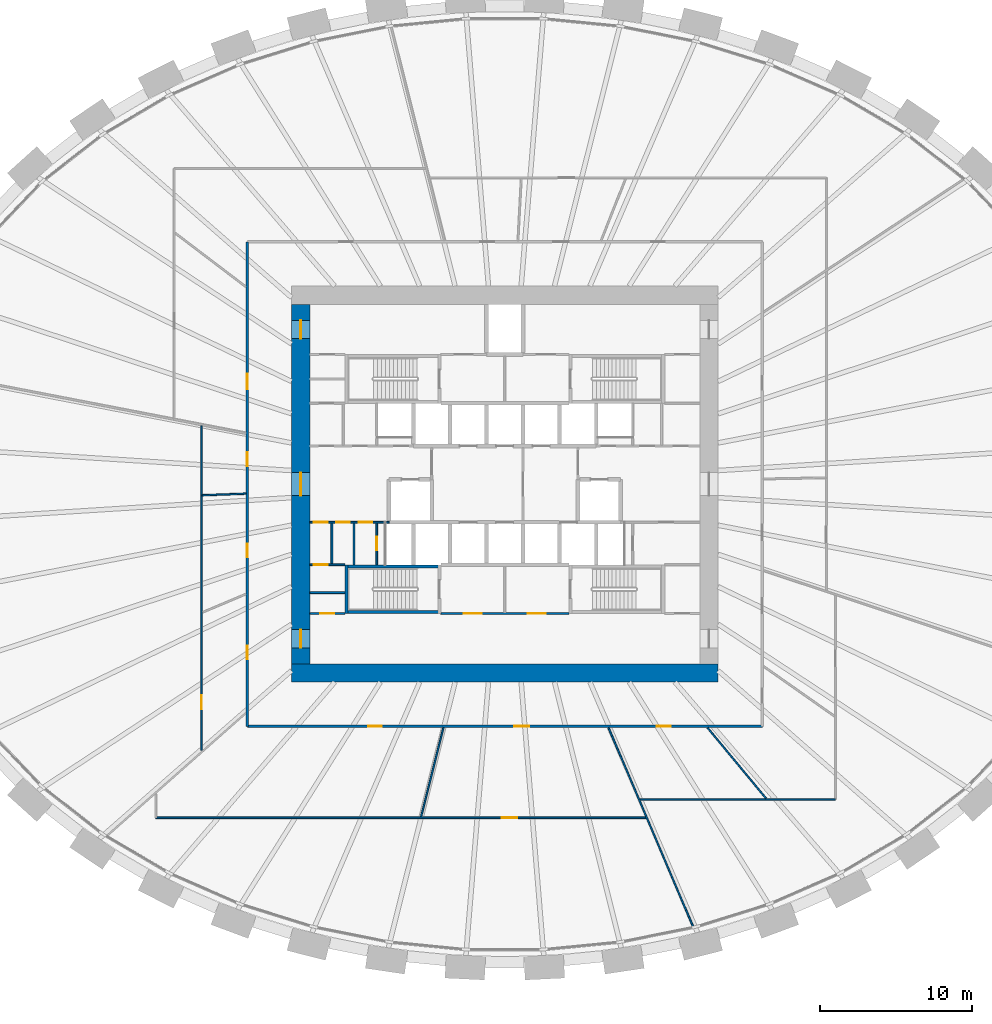
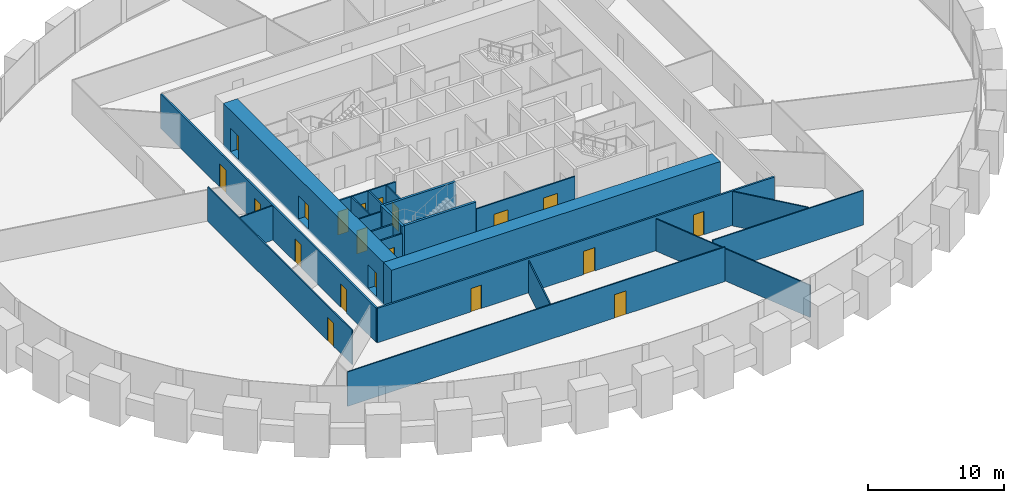
# One storey, part 6 of 10: 22 walls, 20 doors, 20 openings.
"""IFC4 building model written with IfcOpenShell, lengths in metres."""

from ifc_helpers import new_model, si_unit, direction, frame, frame_2d, origin, place, context, subcontext, project, spatial, rectangle, extrude, source, transform, mapped, material, layer, layer_set, type_object, element, fill, save


model = new_model("IFC4")

# Units and contexts
model_context = context("Model", 3, precision=1e-05, world=origin(), true_north=direction((0.0, 1.0)))
body_context = subcontext(model_context, "Body", "Model", "MODEL_VIEW")
ifc_project = project(units=[si_unit("LENGTHUNIT", "METRE"), si_unit("AREAUNIT", "SQUARE_METRE"), si_unit("VOLUMEUNIT", "CUBIC_METRE"), si_unit("PLANEANGLEUNIT", "RADIAN"), si_unit("MASSUNIT", "GRAM", prefix="KILO")], contexts=[model_context])

# Site, building, storey
site_placement = place(None, origin())
site = spatial("IfcSite", under=ifc_project, at=site_placement, CompositionType="ELEMENT")
building_placement = place(site_placement, origin())
building = spatial("IfcBuilding", under=site, at=building_placement, Name="Embergate Tower", CompositionType="ELEMENT")
storey_placement = place(building_placement, frame((0.0, 0.0, 93.199951171875)))
storey = spatial("IfcBuildingStorey", under=building, at=storey_placement, Name="L19", CompositionType="ELEMENT", Elevation=93.199951171875)

# Wall
ifc_material_1 = material(Name="Concrete C80", Category="concrete")
ifc_layer_1 = layer(ifc_material_1, 1.199951171875)
ifc_layer_set_1 = layer_set([ifc_layer_1], Name="Concrete C80")
wall_type_1 = type_object("IfcWallType", Name="Core outer wall C80 1200", PredefinedType="SHEAR", material=ifc_layer_set_1)
shared_shape_1 = source(origin(), body_context, "Body", "SweptSolid", [
    extrude(rectangle(XDim=28.0, YDim=1.199951171875, at=frame_2d((14.0, 0.0))), origin(), (0.0, 0.0, 1.0), 3.89990234375),
])
wall_1_placement = place(storey_placement, frame((-14.0, -12.39990234375, -0.199951171875), z_axis=(0.0, 0.0, 1.0), x_axis=(1.0, 0.0, 0.0)))
element("IfcWall", 1, at=wall_1_placement, inside=storey, type_object=wall_type_1, Name="CW-L19-S", PredefinedType="SHEAR", context=body_context, shape_type="MappedRepresentation", body=[
    mapped(shared_shape_1, transform((0.0, 0.0, 0.0))),
])

# Wall, openings, doors
shared_shape_2 = source(origin(), body_context, "Body", "SweptSolid", [
    extrude(rectangle(XDim=23.60009765625, YDim=1.199951171875, at=frame_2d((11.800048828125, 0.0))), origin(), (0.0, 0.0, 1.0), 3.89990234375),
])
wall_2_placement = place(storey_placement, frame((-13.39990234375, -11.800048828125, -0.199951171875), z_axis=(0.0, 0.0, 1.0), x_axis=(0.0, 1.0, 0.0)))
wall_2 = element("IfcWall", 2, at=wall_2_placement, inside=storey, type_object=wall_type_1, Name="CW-L19-W", PredefinedType="SHEAR", context=body_context, shape_type="MappedRepresentation", body=[
    mapped(shared_shape_2, transform((0.0, 0.0, 0.0))),
])
shared_shape_3 = source(origin(), body_context, "Body", "SweptSolid", [
    extrude(rectangle(XDim=1.199951171875, YDim=2.10009765625, at=frame_2d((0.60009765625, 1.050048828125))), frame((0.0, 0.60986328125, 0.0), z_axis=(0.0, -1.0, 0.0), x_axis=(1.0, 0.0, 0.0)), (0.0, 0.0, 1.0), 1.219970703125),
])
opening_1_placement = place(wall_2_placement, frame((21.35009765625, 0.0, 0.199951171875)))
opening_1 = element("IfcOpeningElement", 3, at=opening_1_placement, cuts=wall_2, Name="Opening IF-1", PredefinedType="OPENING", context=body_context, shape_type="MappedRepresentation", body=[
    mapped(shared_shape_3, transform((0.0, 0.0, 0.0))),
])
opening_2_placement = place(wall_2_placement, frame((1.050048828125, 0.0, 0.199951171875)))
opening_2 = element("IfcOpeningElement", 4, at=opening_2_placement, cuts=wall_2, Name="Opening IF-1", PredefinedType="OPENING", context=body_context, shape_type="MappedRepresentation", body=[
    mapped(shared_shape_3, transform((0.0, 0.0, 0.0))),
])
shared_shape_4 = source(origin(), body_context, "Body", "SweptSolid", [
    extrude(rectangle(XDim=1.5, YDim=2.10009765625, at=frame_2d((0.75, 1.050048828125))), frame((0.0, 0.60986328125, 0.0), z_axis=(0.0, -1.0, 0.0), x_axis=(1.0, 0.0, 0.0)), (0.0, 0.0, 1.0), 1.219970703125),
])
opening_3_placement = place(wall_2_placement, frame((11.050048828125, 0.0, 0.199951171875)))
opening_3 = element("IfcOpeningElement", 5, at=opening_3_placement, cuts=wall_2, Name="Opening IF-3", PredefinedType="OPENING", context=body_context, shape_type="MappedRepresentation", body=[
    mapped(shared_shape_4, transform((0.0, 0.0, 0.0))),
])
ifc_material_2 = material(Name="Escape fire door 1200")
door_type_1 = type_object("IfcDoorType", Name="Escape fire door 1200", OperationType="SINGLE_SWING_LEFT", PredefinedType="DOOR", material=ifc_material_2)
shared_shape_5 = source(origin(), body_context, "Body", "SweptSolid", [
    extrude(rectangle(XDim=1.199951171875, YDim=2.10009765625, at=frame_2d((0.60009765625, 1.050048828125))), frame((0.0, 0.02490234375, 0.0), z_axis=(0.0, -1.0, 0.0), x_axis=(1.0, 0.0, 0.0)), (0.0, 0.0, 1.0), 0.050048828125),
])
door_1_placement = place(opening_1_placement, origin())
door_1 = element("IfcDoor", 6, at=door_1_placement, inside=storey, type_object=door_type_1, Name="IF-1 door", OperationType="SINGLE_SWING_RIGHT", OverallHeight=2.10009765625, OverallWidth=1.199951171875, PredefinedType="DOOR", context=body_context, shape_type="MappedRepresentation", body=[
    mapped(shared_shape_5, transform((0.0, 0.0, 0.0))),
])
fill(opening_1, door_1)
door_2_placement = place(opening_2_placement, origin())
door_2 = element("IfcDoor", 7, at=door_2_placement, inside=storey, type_object=door_type_1, Name="IF-1 door", OperationType="SINGLE_SWING_RIGHT", OverallHeight=2.10009765625, OverallWidth=1.199951171875, PredefinedType="DOOR", context=body_context, shape_type="MappedRepresentation", body=[
    mapped(shared_shape_5, transform((0.0, 0.0, 0.0))),
])
fill(opening_2, door_2)
ifc_material_3 = material(Name="Lobby fire door pair 1500")
door_type_2 = type_object("IfcDoorType", Name="Lobby fire door pair 1500", OperationType="DOUBLE_DOOR_SINGLE_SWING", PredefinedType="DOOR", material=ifc_material_3)
shared_shape_6 = source(origin(), body_context, "Body", "SweptSolid", [
    extrude(rectangle(XDim=1.5, YDim=2.10009765625, at=frame_2d((0.75, 1.050048828125))), frame((0.0, 0.02490234375, 0.0), z_axis=(0.0, -1.0, 0.0), x_axis=(1.0, 0.0, 0.0)), (0.0, 0.0, 1.0), 0.050048828125),
])
door_3_placement = place(opening_3_placement, origin())
door_3 = element("IfcDoor", 8, at=door_3_placement, inside=storey, type_object=door_type_2, Name="IF-3 door", OperationType="DOUBLE_DOOR_SINGLE_SWING", OverallHeight=2.10009765625, OverallWidth=1.5, PredefinedType="DOOR", context=body_context, shape_type="MappedRepresentation", body=[
    mapped(shared_shape_6, transform((0.0, 0.0, 0.0))),
])
fill(opening_3, door_3)

# Walls
ifc_material_4 = material(Name="Concrete C50", Category="concrete")
ifc_layer_2 = layer(ifc_material_4, 0.199951171875)
ifc_layer_set_2 = layer_set([ifc_layer_2], Name="Concrete C50")
wall_type_2 = type_object("IfcWallType", Name="Stair enclosure wall reinforced concrete 250", PredefinedType="SHEAR", material=ifc_layer_set_2)
shared_shape_7 = source(origin(), body_context, "Body", "SweptSolid", [
    extrude(rectangle(XDim=6.300048828125, YDim=0.199951171875, at=frame_2d((3.14990234375, 0.0))), origin(), (0.0, 0.0, 1.0), 3.699951171875),
])
for number, where, z_axis, x_axis, name in (
    (9, (-10.5, -5.39990234375, 0.0), (0.0, 0.0, 1.0), (1.0, 0.0, 0.0), "SE-1 wall"),
    (10, (-10.5, -8.39990234375, 0.0), (0.0, 0.0, 1.0), (1.0, 0.0, 0.0), "SE-1 wall"),
):
    element("IfcWall", number, at=place(storey_placement, frame(where, z_axis=z_axis, x_axis=x_axis)), inside=storey, type_object=wall_type_2, Name=name, PredefinedType="SHEAR", context=body_context, shape_type="MappedRepresentation", body=[
        mapped(shared_shape_7, transform((0.0, 0.0, 0.0))),
    ])

# Wall, opening, door
ifc_material_5 = material(Name="Core partition blockwork 120")
ifc_layer_3 = layer(ifc_material_5, 0.1201171875)
ifc_layer_set_3 = layer_set([ifc_layer_3], Name="Core partition blockwork 120")
wall_type_3 = type_object("IfcWallType", Name="Core partition blockwork 120", PredefinedType="PARTITIONING", material=ifc_layer_set_3)
shared_shape_8 = source(origin(), body_context, "Body", "SweptSolid", [
    extrude(rectangle(XDim=2.739990234375, YDim=0.1201171875, at=frame_2d((1.3701171875, 0.0))), origin(), (0.0, 0.0, 1.0), 3.10009765625),
])
wall_3_placement = place(storey_placement, frame((-8.39990234375, -2.56005859375, 0.0), z_axis=(0.0, 0.0, 1.0), x_axis=(0.0, -1.0, 0.0)))
wall_3 = element("IfcWall", 11, at=wall_3_placement, inside=storey, type_object=wall_type_3, Name="IP-3 wall", PredefinedType="PARTITIONING", context=body_context, shape_type="MappedRepresentation", body=[
    mapped(shared_shape_8, transform((0.0, 0.0, 0.0))),
])
shared_shape_9 = source(origin(), body_context, "Body", "SweptSolid", [
    extrude(rectangle(XDim=0.89990234375, YDim=2.10009765625, at=frame_2d((0.449951171875, 1.050048828125))), frame((0.0, 0.070068359375, 0.0), z_axis=(0.0, -1.0, 0.0), x_axis=(1.0, 0.0, 0.0)), (0.0, 0.0, 1.0), 0.14013671875),
])
opening_4_placement = place(wall_3_placement, frame((0.889892578125, 0.0, 0.0)))
opening_4 = element("IfcOpeningElement", 12, at=opening_4_placement, cuts=wall_3, Name="Opening ID-1", PredefinedType="OPENING", context=body_context, shape_type="MappedRepresentation", body=[
    mapped(shared_shape_9, transform((0.0, 0.0, 0.0))),
])
ifc_material_6 = material(Name="Interior door 900")
door_type_3 = type_object("IfcDoorType", Name="Interior door 900", OperationType="SINGLE_SWING_LEFT", PredefinedType="DOOR", material=ifc_material_6)
shared_shape_10 = source(origin(), body_context, "Body", "SweptSolid", [
    extrude(rectangle(XDim=0.89990234375, YDim=2.10009765625, at=frame_2d((0.449951171875, 1.050048828125))), frame((0.0, 0.02490234375, 0.0), z_axis=(0.0, -1.0, 0.0), x_axis=(1.0, 0.0, 0.0)), (0.0, 0.0, 1.0), 0.050048828125),
])
door_4_placement = place(opening_4_placement, origin())
door_4 = element("IfcDoor", 13, at=door_4_placement, inside=storey, type_object=door_type_3, Name="ID-1 door", OperationType="SINGLE_SWING_RIGHT", OverallHeight=2.10009765625, OverallWidth=0.89990234375, PredefinedType="DOOR", context=body_context, shape_type="MappedRepresentation", body=[
    mapped(shared_shape_10, transform((0.0, 0.0, 0.0))),
])
fill(opening_4, door_4)

# Wall
wall_4_placement = place(storey_placement, frame((-9.89599609375, -5.300048828125, 0.0), z_axis=(0.0, 0.0, 1.0), x_axis=(0.0, 1.0, 0.0)))
element("IfcWall", 14, at=wall_4_placement, inside=storey, type_object=wall_type_3, Name="IP-3 wall", PredefinedType="PARTITIONING", context=body_context, shape_type="MappedRepresentation", body=[
    mapped(shared_shape_8, transform((0.0, 0.0, 0.0))),
])

# Wall, openings, doors
shared_shape_11 = source(origin(), body_context, "Body", "SweptSolid", [
    extrude(rectangle(XDim=5.199951171875, YDim=0.1201171875, at=frame_2d((2.60009765625, 0.0))), origin(), (0.0, 0.0, 1.0), 3.10009765625),
])
wall_5_placement = place(storey_placement, frame((-7.60009765625, -2.5, 0.0), z_axis=(0.0, 0.0, 1.0), x_axis=(-1.0, 0.0, 0.0)))
wall_5 = element("IfcWall", 15, at=wall_5_placement, inside=storey, type_object=wall_type_3, Name="IP-3 wall", PredefinedType="PARTITIONING", context=body_context, shape_type="MappedRepresentation", body=[
    mapped(shared_shape_11, transform((0.0, 0.0, 0.0))),
])
opening_5_placement = place(wall_5_placement, frame((4.02392578125, 0.0, 0.0)))
opening_5 = element("IfcOpeningElement", 16, at=opening_5_placement, cuts=wall_5, Name="Opening ID-1", PredefinedType="OPENING", context=body_context, shape_type="MappedRepresentation", body=[
    mapped(shared_shape_9, transform((0.0, 0.0, 0.0))),
])
opening_6_placement = place(wall_5_placement, frame((2.572021484375, 0.0, 0.0)))
opening_6 = element("IfcOpeningElement", 17, at=opening_6_placement, cuts=wall_5, Name="Opening ID-1", PredefinedType="OPENING", context=body_context, shape_type="MappedRepresentation", body=[
    mapped(shared_shape_9, transform((0.0, 0.0, 0.0))),
])
opening_7_placement = place(wall_5_placement, frame((1.097900390625, 0.0, 0.0)))
opening_7 = element("IfcOpeningElement", 18, at=opening_7_placement, cuts=wall_5, Name="Opening ID-1", PredefinedType="OPENING", context=body_context, shape_type="MappedRepresentation", body=[
    mapped(shared_shape_9, transform((0.0, 0.0, 0.0))),
])
door_5_placement = place(opening_5_placement, origin())
door_5 = element("IfcDoor", 19, at=door_5_placement, inside=storey, type_object=door_type_3, Name="ID-1 door", OperationType="SINGLE_SWING_RIGHT", OverallHeight=2.10009765625, OverallWidth=0.89990234375, PredefinedType="DOOR", context=body_context, shape_type="MappedRepresentation", body=[
    mapped(shared_shape_10, transform((0.0, 0.0, 0.0))),
])
fill(opening_5, door_5)
door_6_placement = place(opening_6_placement, origin())
door_6 = element("IfcDoor", 20, at=door_6_placement, inside=storey, type_object=door_type_3, Name="ID-1 door", OperationType="SINGLE_SWING_RIGHT", OverallHeight=2.10009765625, OverallWidth=0.89990234375, PredefinedType="DOOR", context=body_context, shape_type="MappedRepresentation", body=[
    mapped(shared_shape_10, transform((0.0, 0.0, 0.0))),
])
fill(opening_6, door_6)
door_7_placement = place(opening_7_placement, origin())
door_7 = element("IfcDoor", 21, at=door_7_placement, inside=storey, type_object=door_type_3, Name="ID-1 door", OperationType="SINGLE_SWING_RIGHT", OverallHeight=2.10009765625, OverallWidth=0.89990234375, PredefinedType="DOOR", context=body_context, shape_type="MappedRepresentation", body=[
    mapped(shared_shape_10, transform((0.0, 0.0, 0.0))),
])
fill(opening_7, door_7)

# Wall
shared_shape_12 = source(origin(), body_context, "Body", "SweptSolid", [
    extrude(rectangle(XDim=3.199951171875, YDim=0.199951171875, at=frame_2d((1.60009765625, 0.0))), origin(), (0.0, 0.0, 1.0), 3.699951171875),
])
wall_6_placement = place(storey_placement, frame((-10.39990234375, -5.300048828125, 0.0), z_axis=(0.0, 0.0, 1.0), x_axis=(0.0, -1.0, 0.0)))
element("IfcWall", 22, at=wall_6_placement, inside=storey, type_object=wall_type_2, Name="SE-1 wall", PredefinedType="SHEAR", context=body_context, shape_type="MappedRepresentation", body=[
    mapped(shared_shape_12, transform((0.0, 0.0, 0.0))),
])

# Wall, openings, doors
shared_shape_13 = source(origin(), body_context, "Body", "SweptSolid", [
    extrude(rectangle(XDim=8.39990234375, YDim=0.1201171875, at=frame_2d((4.199951171875, 0.0))), origin(), (0.0, 0.0, 1.0), 3.10009765625),
])
wall_7_placement = place(storey_placement, frame((-4.199951171875, -8.5, 0.0), z_axis=(0.0, 0.0, 1.0), x_axis=(1.0, 0.0, 0.0)))
wall_7 = element("IfcWall", 23, at=wall_7_placement, inside=storey, type_object=wall_type_3, Name="IP-3 wall", PredefinedType="PARTITIONING", context=body_context, shape_type="MappedRepresentation", body=[
    mapped(shared_shape_13, transform((0.0, 0.0, 0.0))),
])
shared_shape_14 = source(origin(), body_context, "Body", "SweptSolid", [
    extrude(rectangle(XDim=1.199951171875, YDim=2.10009765625, at=frame_2d((0.60009765625, 1.050048828125))), frame((0.0, 0.070068359375, 0.0), z_axis=(0.0, -1.0, 0.0), x_axis=(1.0, 0.0, 0.0)), (0.0, 0.0, 1.0), 0.14013671875),
])
opening_8_placement = place(wall_7_placement, frame((1.5, 0.0, 0.0)))
opening_8 = element("IfcOpeningElement", 24, at=opening_8_placement, cuts=wall_7, Name="Opening IF-3f", PredefinedType="OPENING", context=body_context, shape_type="MappedRepresentation", body=[
    mapped(shared_shape_14, transform((0.0, 0.0, 0.0))),
])
opening_9_placement = place(wall_7_placement, frame((5.699951171875, 0.0, 0.0)))
opening_9 = element("IfcOpeningElement", 25, at=opening_9_placement, cuts=wall_7, Name="Opening IF-3f", PredefinedType="OPENING", context=body_context, shape_type="MappedRepresentation", body=[
    mapped(shared_shape_14, transform((0.0, 0.0, 0.0))),
])
ifc_material_7 = material(Name="Lobby fire door pair 1200")
door_type_4 = type_object("IfcDoorType", Name="Lobby fire door pair 1200", OperationType="DOUBLE_DOOR_SINGLE_SWING", PredefinedType="DOOR", material=ifc_material_7)
door_8_placement = place(opening_8_placement, origin())
door_8 = element("IfcDoor", 26, at=door_8_placement, inside=storey, type_object=door_type_4, Name="IF-3 door", OperationType="DOUBLE_DOOR_SINGLE_SWING", OverallHeight=2.10009765625, OverallWidth=1.199951171875, PredefinedType="DOOR", context=body_context, shape_type="MappedRepresentation", body=[
    mapped(shared_shape_5, transform((0.0, 0.0, 0.0))),
])
fill(opening_8, door_8)
door_9_placement = place(opening_9_placement, origin())
door_9 = element("IfcDoor", 27, at=door_9_placement, inside=storey, type_object=door_type_4, Name="IF-3 door", OperationType="DOUBLE_DOOR_SINGLE_SWING", OverallHeight=2.10009765625, OverallWidth=1.199951171875, PredefinedType="DOOR", context=body_context, shape_type="MappedRepresentation", body=[
    mapped(shared_shape_5, transform((0.0, 0.0, 0.0))),
])
fill(opening_9, door_9)

# Wall, opening, door
shared_shape_15 = source(origin(), body_context, "Body", "SweptSolid", [
    extrude(rectangle(XDim=2.300048828125, YDim=0.1201171875, at=frame_2d((1.14990234375, 0.0))), origin(), (0.0, 0.0, 1.0), 3.10009765625),
])
wall_8_placement = place(storey_placement, frame((-10.5, -8.5, 0.0), z_axis=(0.0, 0.0, 1.0), x_axis=(-1.0, 0.0, 0.0)))
wall_8 = element("IfcWall", 28, at=wall_8_placement, inside=storey, type_object=wall_type_3, Name="IP-3 wall", PredefinedType="PARTITIONING", context=body_context, shape_type="MappedRepresentation", body=[
    mapped(shared_shape_15, transform((0.0, 0.0, 0.0))),
])
opening_10_placement = place(wall_8_placement, frame((0.699951171875, 0.0, 0.0)))
opening_10 = element("IfcOpeningElement", 29, at=opening_10_placement, cuts=wall_8, Name="Opening ID-1", PredefinedType="OPENING", context=body_context, shape_type="MappedRepresentation", body=[
    mapped(shared_shape_9, transform((0.0, 0.0, 0.0))),
])
door_10_placement = place(opening_10_placement, origin())
door_10 = element("IfcDoor", 30, at=door_10_placement, inside=storey, type_object=door_type_3, Name="ID-1 door", OperationType="SINGLE_SWING_RIGHT", OverallHeight=2.10009765625, OverallWidth=0.89990234375, PredefinedType="DOOR", context=body_context, shape_type="MappedRepresentation", body=[
    mapped(shared_shape_10, transform((0.0, 0.0, 0.0))),
])
fill(opening_10, door_10)

wall_9_placement = place(storey_placement, frame((-12.800048828125, -5.300048828125, 0.0), z_axis=(0.0, 0.0, 1.0), x_axis=(1.0, 0.0, 0.0)))
wall_9 = element("IfcWall", 31, at=wall_9_placement, inside=storey, type_object=wall_type_3, Name="IP-3 wall", PredefinedType="PARTITIONING", context=body_context, shape_type="MappedRepresentation", body=[
    mapped(shared_shape_15, transform((0.0, 0.0, 0.0))),
])
opening_11_placement = place(wall_9_placement, frame((0.27587890625, 0.0, 0.0)))
opening_11 = element("IfcOpeningElement", 32, at=opening_11_placement, cuts=wall_9, Name="Opening ID-1", PredefinedType="OPENING", context=body_context, shape_type="MappedRepresentation", body=[
    mapped(shared_shape_9, transform((0.0, 0.0, 0.0))),
])
door_11_placement = place(opening_11_placement, origin())
door_11 = element("IfcDoor", 33, at=door_11_placement, inside=storey, type_object=door_type_3, Name="ID-1 door", OperationType="SINGLE_SWING_LEFT", OverallHeight=2.10009765625, OverallWidth=0.89990234375, PredefinedType="DOOR", context=body_context, shape_type="MappedRepresentation", body=[
    mapped(shared_shape_10, transform((0.0, 0.0, 0.0))),
])
fill(opening_11, door_11)

# Walls
wall_10_placement = place(storey_placement, frame((-10.5, -7.1240234375, 0.0), z_axis=(0.0, 0.0, 1.0), x_axis=(-1.0, 0.0, 0.0)))
element("IfcWall", 34, at=wall_10_placement, inside=storey, type_object=wall_type_3, Name="IP-3 wall", PredefinedType="PARTITIONING", context=body_context, shape_type="MappedRepresentation", body=[
    mapped(shared_shape_15, transform((0.0, 0.0, 0.0))),
])
shared_shape_16 = source(origin(), body_context, "Body", "SweptSolid", [
    extrude(rectangle(XDim=2.679931640625, YDim=0.1201171875, at=frame_2d((1.33984375, 0.0))), origin(), (0.0, 0.0, 1.0), 3.10009765625),
])
wall_11_placement = place(storey_placement, frame((-11.347900390625, -5.239990234375, 0.0), z_axis=(0.0, 0.0, 1.0), x_axis=(0.0, 1.0, 0.0)))
element("IfcWall", 35, at=wall_11_placement, inside=storey, type_object=wall_type_3, Name="IP-3 wall", PredefinedType="PARTITIONING", context=body_context, shape_type="MappedRepresentation", body=[
    mapped(shared_shape_16, transform((0.0, 0.0, 0.0))),
])

# Wall, openings, doors
ifc_material_8 = material(Name="Corridor wall dry-lined 150")
ifc_layer_4 = layer(ifc_material_8, 0.14990234375)
ifc_layer_set_4 = layer_set([ifc_layer_4], Name="Corridor wall dry-lined 150")
wall_type_4 = type_object("IfcWallType", Name="Corridor wall dry-lined 150", PredefinedType="PARTITIONING", material=ifc_layer_set_4)
shared_shape_17 = source(origin(), body_context, "Body", "SweptSolid", [
    extrude(rectangle(XDim=33.7998046875, YDim=0.14990234375, at=frame_2d((16.89990234375, 0.0))), origin(), (0.0, 0.0, 1.0), 3.10009765625),
])
wall_12_placement = place(storey_placement, frame((16.89990234375, -15.89990234375, 0.0), z_axis=(0.0, 0.0, 1.0), x_axis=(-1.0, 0.0, 0.0)))
wall_12 = element("IfcWall", 36, at=wall_12_placement, inside=storey, type_object=wall_type_4, Name="IP-2 wall", PredefinedType="PARTITIONING", context=body_context, shape_type="MappedRepresentation", body=[
    mapped(shared_shape_17, transform((0.0, 0.0, 0.0))),
])
shared_shape_18 = source(origin(), body_context, "Body", "SweptSolid", [
    extrude(rectangle(XDim=0.89990234375, YDim=2.10009765625, at=frame_2d((0.449951171875, 1.050048828125))), frame((0.0, 0.0849609375, 0.0), z_axis=(0.0, -1.0, 0.0), x_axis=(1.0, 0.0, 0.0)), (0.0, 0.0, 1.0), 0.169921875),
])
opening_12_placement = place(wall_12_placement, frame((24.965087890625, 0.0, 0.0)))
opening_12 = element("IfcOpeningElement", 37, at=opening_12_placement, cuts=wall_12, Name="Opening IF-1c", PredefinedType="OPENING", context=body_context, shape_type="MappedRepresentation", body=[
    mapped(shared_shape_18, transform((0.0, 0.0, 0.0))),
])
shared_shape_19 = source(origin(), body_context, "Body", "SweptSolid", [
    extrude(rectangle(XDim=1.0, YDim=2.10009765625, at=frame_2d((0.5, 1.050048828125))), frame((0.0, 0.0849609375, 0.0), z_axis=(0.0, -1.0, 0.0), x_axis=(1.0, 0.0, 0.0)), (0.0, 0.0, 1.0), 0.169921875),
])
opening_13_placement = place(wall_12_placement, frame((15.2939453125, 0.0, 0.0)))
opening_13 = element("IfcOpeningElement", 38, at=opening_13_placement, cuts=wall_12, Name="Opening ID-2", PredefinedType="OPENING", context=body_context, shape_type="MappedRepresentation", body=[
    mapped(shared_shape_19, transform((0.0, 0.0, 0.0))),
])
opening_14_placement = place(wall_12_placement, frame((6.012939453125, 0.0, 0.0)))
opening_14 = element("IfcOpeningElement", 39, at=opening_14_placement, cuts=wall_12, Name="Opening IF-1c", PredefinedType="OPENING", context=body_context, shape_type="MappedRepresentation", body=[
    mapped(shared_shape_18, transform((0.0, 0.0, 0.0))),
])
ifc_material_9 = material(Name="Escape fire door 900")
door_type_5 = type_object("IfcDoorType", Name="Escape fire door 900", OperationType="SINGLE_SWING_LEFT", PredefinedType="DOOR", material=ifc_material_9)
door_12_placement = place(opening_12_placement, origin())
door_12 = element("IfcDoor", 40, at=door_12_placement, inside=storey, type_object=door_type_5, Name="IF-1 door", OperationType="SINGLE_SWING_LEFT", OverallHeight=2.10009765625, OverallWidth=0.89990234375, PredefinedType="DOOR", context=body_context, shape_type="MappedRepresentation", body=[
    mapped(shared_shape_10, transform((0.0, 0.0, 0.0))),
])
fill(opening_12, door_12)
door_13_placement = place(opening_14_placement, origin())
door_13 = element("IfcDoor", 41, at=door_13_placement, inside=storey, type_object=door_type_5, Name="IF-1 door", OperationType="SINGLE_SWING_RIGHT", OverallHeight=2.10009765625, OverallWidth=0.89990234375, PredefinedType="DOOR", context=body_context, shape_type="MappedRepresentation", body=[
    mapped(shared_shape_10, transform((0.0, 0.0, 0.0))),
])
fill(opening_14, door_13)
ifc_material_10 = material(Name="Interior door 1000")
door_type_6 = type_object("IfcDoorType", Name="Interior door 1000", OperationType="SINGLE_SWING_LEFT", PredefinedType="DOOR", material=ifc_material_10)
shared_shape_20 = source(origin(), body_context, "Body", "SweptSolid", [
    extrude(rectangle(XDim=1.0, YDim=2.10009765625, at=frame_2d((0.5, 1.050048828125))), frame((0.0, 0.02490234375, 0.0), z_axis=(0.0, -1.0, 0.0), x_axis=(1.0, 0.0, 0.0)), (0.0, 0.0, 1.0), 0.050048828125),
])
door_14_placement = place(opening_13_placement, origin())
door_14 = element("IfcDoor", 42, at=door_14_placement, inside=storey, type_object=door_type_6, Name="ID-2 door", OperationType="SINGLE_SWING_RIGHT", OverallHeight=2.10009765625, OverallWidth=1.0, PredefinedType="DOOR", context=body_context, shape_type="MappedRepresentation", body=[
    mapped(shared_shape_20, transform((0.0, 0.0, 0.0))),
])
fill(opening_13, door_14)

shared_shape_21 = source(origin(), body_context, "Body", "SweptSolid", [
    extrude(rectangle(XDim=31.7998046875, YDim=0.14990234375, at=frame_2d((15.89990234375, 0.0))), origin(), (0.0, 0.0, 1.0), 3.10009765625),
])
wall_13_placement = place(storey_placement, frame((-16.89990234375, -15.89990234375, 0.0), z_axis=(0.0, 0.0, 1.0), x_axis=(0.0, 1.0, 0.0)))
wall_13 = element("IfcWall", 43, at=wall_13_placement, inside=storey, type_object=wall_type_4, Name="IP-2 wall", PredefinedType="PARTITIONING", context=body_context, shape_type="MappedRepresentation", body=[
    mapped(shared_shape_21, transform((0.0, 0.0, 0.0))),
])
opening_15_placement = place(wall_13_placement, frame((22.133056640625, 0.0, 0.0)))
opening_15 = element("IfcOpeningElement", 44, at=opening_15_placement, cuts=wall_13, Name="Opening ID-2", PredefinedType="OPENING", context=body_context, shape_type="MappedRepresentation", body=[
    mapped(shared_shape_19, transform((0.0, 0.0, 0.0))),
])
opening_16_placement = place(wall_13_placement, frame((17.0791015625, 0.0, 0.0)))
opening_16 = element("IfcOpeningElement", 45, at=opening_16_placement, cuts=wall_13, Name="Opening IF-1c", PredefinedType="OPENING", context=body_context, shape_type="MappedRepresentation", body=[
    mapped(shared_shape_18, transform((0.0, 0.0, 0.0))),
])
opening_17_placement = place(wall_13_placement, frame((11.094970703125, 0.0, 0.0)))
opening_17 = element("IfcOpeningElement", 46, at=opening_17_placement, cuts=wall_13, Name="Opening IF-1c", PredefinedType="OPENING", context=body_context, shape_type="MappedRepresentation", body=[
    mapped(shared_shape_18, transform((0.0, 0.0, 0.0))),
])
opening_18_placement = place(wall_13_placement, frame((4.389892578125, 0.0, 0.0)))
opening_18 = element("IfcOpeningElement", 47, at=opening_18_placement, cuts=wall_13, Name="Opening IF-1c", PredefinedType="OPENING", context=body_context, shape_type="MappedRepresentation", body=[
    mapped(shared_shape_18, transform((0.0, 0.0, 0.0))),
])
door_15_placement = place(opening_16_placement, origin())
door_15 = element("IfcDoor", 48, at=door_15_placement, inside=storey, type_object=door_type_5, Name="IF-1 door", OperationType="SINGLE_SWING_LEFT", OverallHeight=2.10009765625, OverallWidth=0.89990234375, PredefinedType="DOOR", context=body_context, shape_type="MappedRepresentation", body=[
    mapped(shared_shape_10, transform((0.0, 0.0, 0.0))),
])
fill(opening_16, door_15)
door_16_placement = place(opening_17_placement, origin())
door_16 = element("IfcDoor", 49, at=door_16_placement, inside=storey, type_object=door_type_5, Name="IF-1 door", OperationType="SINGLE_SWING_LEFT", OverallHeight=2.10009765625, OverallWidth=0.89990234375, PredefinedType="DOOR", context=body_context, shape_type="MappedRepresentation", body=[
    mapped(shared_shape_10, transform((0.0, 0.0, 0.0))),
])
fill(opening_17, door_16)
door_17_placement = place(opening_18_placement, origin())
door_17 = element("IfcDoor", 50, at=door_17_placement, inside=storey, type_object=door_type_5, Name="IF-1 door", OperationType="SINGLE_SWING_LEFT", OverallHeight=2.10009765625, OverallWidth=0.89990234375, PredefinedType="DOOR", context=body_context, shape_type="MappedRepresentation", body=[
    mapped(shared_shape_10, transform((0.0, 0.0, 0.0))),
])
fill(opening_18, door_17)
door_18_placement = place(opening_15_placement, origin())
door_18 = element("IfcDoor", 51, at=door_18_placement, inside=storey, type_object=door_type_6, Name="ID-2 door", OperationType="SINGLE_SWING_RIGHT", OverallHeight=2.10009765625, OverallWidth=1.0, PredefinedType="DOOR", context=body_context, shape_type="MappedRepresentation", body=[
    mapped(shared_shape_20, transform((0.0, 0.0, 0.0))),
])
fill(opening_15, door_18)

# Wall
ifc_material_11 = material(Name="Partition dry-lined 100")
ifc_layer_5 = layer(ifc_material_11, 0.10009765625)
ifc_layer_set_5 = layer_set([ifc_layer_5], Name="Partition dry-lined 100")
wall_type_5 = type_object("IfcWallType", Name="Partition dry-lined 100", PredefinedType="PARTITIONING", material=ifc_layer_set_5)
shared_shape_22 = source(origin(), body_context, "Body", "SweptSolid", [
    extrude(rectangle(XDim=6.033447265625, YDim=0.10009765625, at=frame_2d((3.0166015625, 0.0))), origin(), (0.0, 0.0, 1.0), 2.900146484375),
])
wall_14_placement = place(storey_placement, frame((-4.02587890625, -15.987060546875, 0.0), z_axis=(0.0, 0.0, 1.0), x_axis=(-0.244163388528, -0.969734107734, 0.0)))
element("IfcWall", 52, at=wall_14_placement, inside=storey, type_object=wall_type_5, Name="IP-1 wall", PredefinedType="PARTITIONING", context=body_context, shape_type="MappedRepresentation", body=[
    mapped(shared_shape_22, transform((0.0, 0.0, 0.0))),
])

# Wall, opening, door
shared_shape_23 = source(origin(), body_context, "Body", "SweptSolid", [
    extrude(rectangle(XDim=32.142822265625, YDim=0.10009765625, at=frame_2d((16.0712890625, 0.0))), origin(), (0.0, 0.0, 1.0), 3.10009765625),
])
wall_15_placement = place(storey_placement, frame((9.242919921875, -21.89990234375, 0.0), z_axis=(0.0, 0.0, 1.0), x_axis=(-1.0, 0.0, 0.0)))
wall_15 = element("IfcWall", 53, at=wall_15_placement, inside=storey, type_object=wall_type_5, Name="IP-1 wall", PredefinedType="PARTITIONING", context=body_context, shape_type="MappedRepresentation", body=[
    mapped(shared_shape_23, transform((0.0, 0.0, 0.0))),
])
shared_shape_24 = source(origin(), body_context, "Body", "SweptSolid", [
    extrude(rectangle(XDim=1.0, YDim=2.10009765625, at=frame_2d((0.5, 1.050048828125))), frame((0.0, 0.06005859375, 0.0), z_axis=(0.0, -1.0, 0.0), x_axis=(1.0, 0.0, 0.0)), (0.0, 0.0, 1.0), 0.1201171875),
])
opening_19_placement = place(wall_15_placement, frame((8.4287109375, 0.0, 0.0)))
opening_19 = element("IfcOpeningElement", 54, at=opening_19_placement, cuts=wall_15, Name="Opening ID-2", PredefinedType="OPENING", context=body_context, shape_type="MappedRepresentation", body=[
    mapped(shared_shape_24, transform((0.0, 0.0, 0.0))),
])
door_19_placement = place(opening_19_placement, origin())
door_19 = element("IfcDoor", 55, at=door_19_placement, inside=storey, type_object=door_type_6, Name="ID-2 door", OperationType="SINGLE_SWING_RIGHT", OverallHeight=2.10009765625, OverallWidth=1.0, PredefinedType="DOOR", context=body_context, shape_type="MappedRepresentation", body=[
    mapped(shared_shape_20, transform((0.0, 0.0, 0.0))),
])
fill(opening_19, door_19)

# Walls
shared_shape_25 = source(origin(), body_context, "Body", "SweptSolid", [
    extrude(rectangle(XDim=14.2275390625, YDim=0.10009765625, at=frame_2d((7.11376953125, 0.0))), origin(), (0.0, 0.0, 1.0), 2.900146484375),
])
wall_16_placement = place(storey_placement, frame((6.805908203125, -15.9951171875, 0.0), z_axis=(0.0, 0.0, 1.0), x_axis=(0.391501066281, -0.920177654098, 0.0)))
element("IfcWall", 56, at=wall_16_placement, inside=storey, type_object=wall_type_5, Name="IP-1 wall", PredefinedType="PARTITIONING", context=body_context, shape_type="MappedRepresentation", body=[
    mapped(shared_shape_25, transform((0.0, 0.0, 0.0))),
])
shared_shape_26 = source(origin(), body_context, "Body", "SweptSolid", [
    extrude(rectangle(XDim=5.99609375, YDim=0.10009765625, at=frame_2d((2.998046875, 0.0))), origin(), (0.0, 0.0, 1.0), 3.10009765625),
])
wall_17_placement = place(storey_placement, frame((13.305908203125, -16.007080078125, 0.0), z_axis=(0.0, 0.0, 1.0), x_axis=(0.639262792271, -0.768988349989, 0.0)))
element("IfcWall", 57, at=wall_17_placement, inside=storey, type_object=wall_type_5, Name="IP-1 wall", PredefinedType="PARTITIONING", context=body_context, shape_type="MappedRepresentation", body=[
    mapped(shared_shape_26, transform((0.0, 0.0, 0.0))),
])
shared_shape_27 = source(origin(), body_context, "Body", "SweptSolid", [
    extrude(rectangle(XDim=12.81689453125, YDim=0.10009765625, at=frame_2d((6.408447265625, 0.0))), origin(), (0.0, 0.0, 1.0), 3.10009765625),
])
wall_18_placement = place(storey_placement, frame((21.699951171875, -20.699951171875, 0.0), z_axis=(0.0, 0.0, 1.0), x_axis=(-1.0, 0.0, 0.0)))
element("IfcWall", 58, at=wall_18_placement, inside=storey, type_object=wall_type_5, Name="IP-1 wall", PredefinedType="PARTITIONING", context=body_context, shape_type="MappedRepresentation", body=[
    mapped(shared_shape_27, transform((0.0, 0.0, 0.0))),
])
ifc_material_12 = material(Name="Partition dry-lined 100 wet")
ifc_layer_6 = layer(ifc_material_12, 0.10009765625)
ifc_layer_set_6 = layer_set([ifc_layer_6], Name="Partition dry-lined 100 wet")
wall_type_6 = type_object("IfcWallType", Name="Partition dry-lined 100 wet", PredefinedType="PLUMBINGWALL", material=ifc_layer_set_6)
shared_shape_28 = source(origin(), body_context, "Body", "SweptSolid", [
    extrude(rectangle(XDim=2.876953125, YDim=0.10009765625, at=frame_2d((1.4384765625, 0.0))), origin(), (0.0, 0.0, 1.0), 3.10009765625),
])
wall_19_placement = place(storey_placement, frame((-16.97509765625, -0.6279296875, 0.0), z_axis=(0.0, 0.0, 1.0), x_axis=(-0.999305853606, -0.037253334726, 0.0)))
element("IfcWall", 59, at=wall_19_placement, inside=storey, type_object=wall_type_6, Name="IP-1 wall", PredefinedType="PLUMBINGWALL", context=body_context, shape_type="MappedRepresentation", body=[
    mapped(shared_shape_28, transform((0.0, 0.0, 0.0))),
])

# Wall, opening, door
shared_shape_29 = source(origin(), body_context, "Body", "SweptSolid", [
    extrude(rectangle(XDim=21.31201171875, YDim=0.10009765625, at=frame_2d((10.656005859375, 0.0))), origin(), (0.0, 0.0, 1.0), 3.10009765625),
])
wall_20_placement = place(storey_placement, frame((-19.89990234375, -17.485107421875, 0.0), z_axis=(0.0, 0.0, 1.0), x_axis=(0.0, 1.0, 0.0)))
wall_20 = element("IfcWall", 60, at=wall_20_placement, inside=storey, type_object=wall_type_6, Name="IP-1 wall", PredefinedType="PLUMBINGWALL", context=body_context, shape_type="MappedRepresentation", body=[
    mapped(shared_shape_29, transform((0.0, 0.0, 0.0))),
])
shared_shape_30 = source(origin(), body_context, "Body", "SweptSolid", [
    extrude(rectangle(XDim=0.89990234375, YDim=2.10009765625, at=frame_2d((0.449951171875, 1.050048828125))), frame((0.0, 0.06005859375, 0.0), z_axis=(0.0, -1.0, 0.0), x_axis=(1.0, 0.0, 0.0)), (0.0, 0.0, 1.0), 0.1201171875),
])
opening_20_placement = place(wall_20_placement, frame((2.7119140625, 0.0, 0.0)))
opening_20 = element("IfcOpeningElement", 61, at=opening_20_placement, cuts=wall_20, Name="Opening ID-1", PredefinedType="OPENING", context=body_context, shape_type="MappedRepresentation", body=[
    mapped(shared_shape_30, transform((0.0, 0.0, 0.0))),
])
door_20_placement = place(opening_20_placement, origin())
door_20 = element("IfcDoor", 62, at=door_20_placement, inside=storey, type_object=door_type_3, Name="ID-1 door", OperationType="SINGLE_SWING_LEFT", OverallHeight=2.10009765625, OverallWidth=0.89990234375, PredefinedType="DOOR", context=body_context, shape_type="MappedRepresentation", body=[
    mapped(shared_shape_10, transform((0.0, 0.0, 0.0))),
])
fill(opening_20, door_20)

save(model, "model.ifc")
